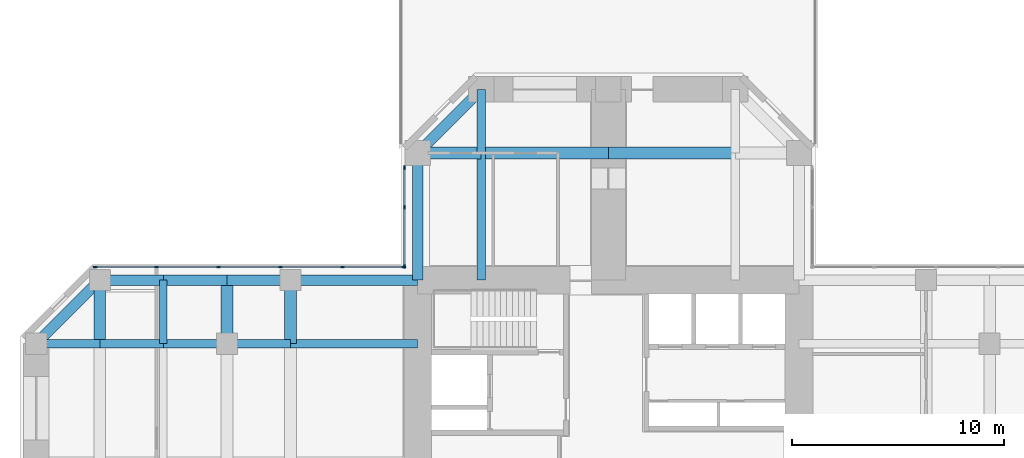
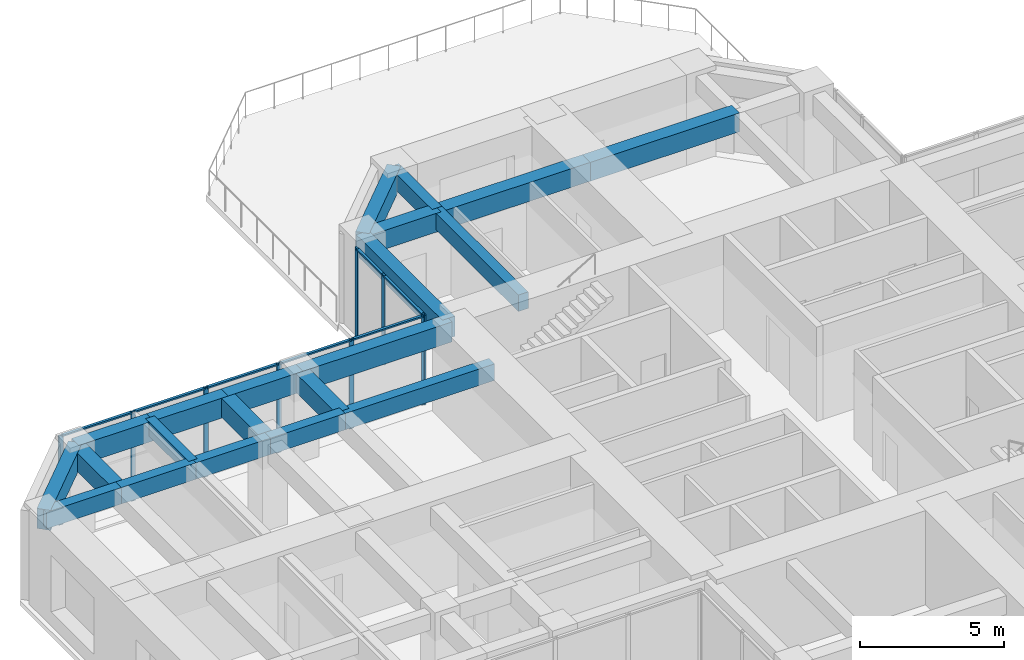
# One storey, part 5 of 12: 21 beams, 16 members, 2 elements without a shape of their own.
"""IFC4 building model written with IfcOpenShell, lengths in metres."""

from ifc_helpers import new_model, si_unit, direction, frame, origin, origin_2d, place, context, subcontext, project, spatial, rectangle, extrude, material, material_profile, profile_set, type_object, element, aggregate, save


model = new_model("IFC4")

# Units and contexts
model_context = context("Model", 3, precision=1e-05, world=origin(), true_north=direction((0.0, 1.0)))
body_context = subcontext(model_context, "Body", "Model", "MODEL_VIEW")
ifc_project = project(units=[si_unit("LENGTHUNIT", "METRE"), si_unit("AREAUNIT", "SQUARE_METRE"), si_unit("VOLUMEUNIT", "CUBIC_METRE"), si_unit("PLANEANGLEUNIT", "RADIAN"), si_unit("MASSUNIT", "GRAM", prefix="KILO")], contexts=[model_context])

# Site, building, storey
site_placement = place(None, origin())
site = spatial("IfcSite", under=ifc_project, at=site_placement, CompositionType="ELEMENT")
building_placement = place(site_placement, origin())
building = spatial("IfcBuilding", under=site, at=building_placement, Name="Torre Cruceta", CompositionType="ELEMENT")
storey_placement = place(building_placement, frame((0.0, 0.0, 100.5)))
storey = spatial("IfcBuildingStorey", under=building, at=storey_placement, Name="L24", CompositionType="ELEMENT", Elevation=100.5)

# Beams
ifc_material_1 = material(Name="Concrete G60 (fck 60 MPa)", Category="concrete")
ifc_material_profile_1 = material_profile(ifc_material_1, rectangle(XDim=0.39990234375, YDim=0.699951171875, at=origin_2d()), Name="RC 400X700")
ifc_profile_set_1 = profile_set([ifc_material_profile_1], Name="Concrete G60 (fck 60 MPa)")
beam_type_1 = type_object("IfcBeamType", Name="COLUMN LINE BEAM RC 400X700", PredefinedType="BEAM", material=ifc_profile_set_1)
beam_1_placement = place(storey_placement, frame((-6.0, 9.0, 3.449951171875), z_axis=(0.0, 1.0, 0.0), x_axis=(-1.0, 0.0, 0.0)))
element("IfcBeam", 1, at=beam_1_placement, inside=storey, type_object=beam_type_1, Name="LB5 L24 N col+ 1", PredefinedType="BEAM", context=body_context, shape_type="SweptSolid", body=[
    extrude(rectangle(XDim=0.39990234375, YDim=0.699951171875, at=origin_2d()), origin(), (0.0, 0.0, 1.0), 6.0),
])
beam_2_placement = place(storey_placement, frame((-6.0, 15.0, 3.449951171875), z_axis=(0.0, 1.0, 0.0), x_axis=(-1.0, 0.0, 0.0)))
element("IfcBeam", 2, at=beam_2_placement, inside=storey, type_object=beam_type_1, Name="LB5 L24 N col+ 2", PredefinedType="BEAM", context=body_context, shape_type="SweptSolid", body=[
    extrude(rectangle(XDim=0.39990234375, YDim=0.699951171875, at=origin_2d()), origin(), (0.0, 0.0, 1.0), 3.0),
])
beam_3_placement = place(storey_placement, frame((-9.0, 6.0, 3.449951171875), z_axis=(-1.0, 0.0, 0.0), x_axis=(0.0, -1.0, 0.0)))
element("IfcBeam", 3, at=beam_3_placement, inside=storey, type_object=beam_type_1, Name="LB5 L24 W col- 1", PredefinedType="BEAM", context=body_context, shape_type="SweptSolid", body=[
    extrude(rectangle(XDim=0.39990234375, YDim=0.699951171875, at=origin_2d()), origin(), (0.0, 0.0, 1.0), 6.0),
])
for number, where, z_axis, x_axis, name in (
    (4, (-15.0, 6.0, 3.449951171875), (-1.0, 0.0, 0.0), (0.0, -1.0, 0.0), "LB5 L24 W col- 2"),
    (5, (-18.0, 6.0, 3.449951171875), (-1.0, 0.0, 0.0), (0.0, -1.0, 0.0), "LB5 L24 W col- 3"),
    (6, (-21.0, 6.0, 3.449951171875), (-1.0, 0.0, 0.0), (0.0, -1.0, 0.0), "LB5 L24 W col- 4"),
    (7, (-24.0, 6.0, 3.449951171875), (-1.0, 0.0, 0.0), (0.0, -1.0, 0.0), "LB5 L24 W col- 5"),
):
    element("IfcBeam", number, at=place(storey_placement, frame(where, z_axis=z_axis, x_axis=x_axis)), inside=storey, type_object=beam_type_1, Name=name, PredefinedType="BEAM", context=body_context, shape_type="SweptSolid", body=[
        extrude(rectangle(XDim=0.39990234375, YDim=0.699951171875, at=origin_2d()), origin(), (0.0, 0.0, 1.0), 3.0),
    ])
ifc_material_2 = material(Name="Concrete G60 (fck 60 MPa)", Category="concrete")
ifc_material_profile_2 = material_profile(ifc_material_2, rectangle(XDim=0.550048828125, YDim=0.800048828125, at=origin_2d()), Name="RC 550X800")
ifc_profile_set_2 = profile_set([ifc_material_profile_2], Name="Concrete G60 (fck 60 MPa)")
beam_type_2 = type_object("IfcBeamType", Name="CROSS BEAM RC 550X800", PredefinedType="BEAM", material=ifc_profile_set_2)
for number, where, z_axis, x_axis, name in (
    (8, (6.0, 15.0, 3.39990234375), (-1.0, 0.0, 0.0), (0.0, -1.0, 0.0), "GB5 L24 N cross15 2"),
    (9, (0.0, 15.0, 3.39990234375), (-1.0, 0.0, 0.0), (0.0, -1.0, 0.0), "GB5 L24 N cross15 3"),
):
    element("IfcBeam", number, at=place(storey_placement, frame(where, z_axis=z_axis, x_axis=x_axis)), inside=storey, type_object=beam_type_2, Name=name, PredefinedType="BEAM", context=body_context, shape_type="SweptSolid", body=[
        extrude(rectangle(XDim=0.550048828125, YDim=0.800048828125, at=origin_2d()), origin(), (0.0, 0.0, 1.0), 6.0),
    ])
for number, where, z_axis, x_axis, name in (
    (10, (-6.0, 15.0, 3.39990234375), (-1.0, 0.0, 0.0), (0.0, -1.0, 0.0), "GB5 L24 N cross15 4"),
    (11, (-15.0, 9.0, 3.39990234375), (0.0, -1.0, 0.0), (1.0, 0.0, 0.0), "GB5 L24 W cross15 1"),
    (12, (-18.0, 9.0, 3.39990234375), (0.0, -1.0, 0.0), (1.0, 0.0, 0.0), "GB5 L24 W cross18 1"),
    (13, (-24.0, 9.0, 3.39990234375), (0.0, -1.0, 0.0), (1.0, 0.0, 0.0), "GB5 L24 W cross24 1"),
):
    element("IfcBeam", number, at=place(storey_placement, frame(where, z_axis=z_axis, x_axis=x_axis)), inside=storey, type_object=beam_type_2, Name=name, PredefinedType="BEAM", context=body_context, shape_type="SweptSolid", body=[
        extrude(rectangle(XDim=0.550048828125, YDim=0.800048828125, at=origin_2d()), origin(), (0.0, 0.0, 1.0), 3.0),
    ])

# Curtain wall, members
ifc_material_3 = material(Name="Aluminium unitised curtain wall", Category="aluminium")
curtain_wall_type = type_object("IfcCurtainWallType", Name="CURTAIN WALL CW-B OFFICE MID RISE", PredefinedType="USERDEFINED", material=ifc_material_3)
curtain_wall_1_placement = place(storey_placement, origin())
curtain_wall_1 = element("IfcCurtainWall", 14, at=curtain_wall_1_placement, inside=storey, type_object=curtain_wall_type, Name="CW-B L24 N side 09", ObjectType="UNITISED", PredefinedType="USERDEFINED")
ifc_material_4 = material(Name="Aluminium mullion", Category="aluminium")
ifc_material_profile_3 = material_profile(ifc_material_4, rectangle(XDim=0.06494140625, YDim=0.179931640625, at=origin_2d()), Name="AL 65X180")
ifc_profile_set_3 = profile_set([ifc_material_profile_3], Name="Aluminium mullion")
member_type_1 = type_object("IfcMemberType", Name="CW-B MULLION 65X180", PredefinedType="MULLION", material=ifc_profile_set_3)
member_1_placement = place(storey_placement, frame((-9.6201171875, 14.30908203125, 0.0), z_axis=(0.0, 0.0, 1.0), x_axis=(1.0, 0.0, 0.0)))
member_1 = element("IfcMember", 15, at=member_1_placement, type_object=member_type_1, Name="CW-B mullion 1", PredefinedType="MULLION", context=body_context, shape_type="SweptSolid", body=[
    extrude(rectangle(XDim=0.06494140625, YDim=0.179931640625, at=origin_2d()), origin(), (0.0, 0.0, 1.0), 3.800048828125),
])
member_2_placement = place(storey_placement, frame((-9.6201171875, 12.4384765625, 0.0), z_axis=(0.0, 0.0, 1.0), x_axis=(1.0, 0.0, 0.0)))
member_2 = element("IfcMember", 16, at=member_2_placement, type_object=member_type_1, Name="CW-B mullion 2", PredefinedType="MULLION", context=body_context, shape_type="SweptSolid", body=[
    extrude(rectangle(XDim=0.06494140625, YDim=0.179931640625, at=origin_2d()), origin(), (0.0, 0.0, 1.0), 3.800048828125),
])
member_3_placement = place(storey_placement, frame((-9.6201171875, 9.652587890625, 0.0), z_axis=(0.0, 0.0, 1.0), x_axis=(1.0, 0.0, 0.0)))
member_3 = element("IfcMember", 17, at=member_3_placement, type_object=member_type_1, Name="CW-B mullion 3", PredefinedType="MULLION", context=body_context, shape_type="SweptSolid", body=[
    extrude(rectangle(XDim=0.06494140625, YDim=0.179931640625, at=origin_2d()), origin(), (0.0, 0.0, 1.0), 3.800048828125),
])

curtain_wall_2_placement = place(storey_placement, origin())
curtain_wall_2 = element("IfcCurtainWall", 18, at=curtain_wall_2_placement, inside=storey, type_object=curtain_wall_type, Name="CW-B L24 W side 10", ObjectType="UNITISED", PredefinedType="USERDEFINED")
member_4_placement = place(storey_placement, frame((-9.652587890625, 9.6201171875, 0.0), z_axis=(0.0, 0.0, 1.0), x_axis=(0.0, -1.0, 0.0)))
member_4 = element("IfcMember", 19, at=member_4_placement, type_object=member_type_1, Name="CW-B mullion 1", PredefinedType="MULLION", context=body_context, shape_type="SweptSolid", body=[
    extrude(rectangle(XDim=0.06494140625, YDim=0.179931640625, at=origin_2d()), origin(), (0.0, 0.0, 1.0), 3.800048828125),
])
member_5_placement = place(storey_placement, frame((-12.54736328125, 9.6201171875, 0.0), z_axis=(0.0, 0.0, 1.0), x_axis=(0.0, -1.0, 0.0)))
member_5 = element("IfcMember", 20, at=member_5_placement, type_object=member_type_1, Name="CW-B mullion 2", PredefinedType="MULLION", context=body_context, shape_type="SweptSolid", body=[
    extrude(rectangle(XDim=0.06494140625, YDim=0.179931640625, at=origin_2d()), origin(), (0.0, 0.0, 1.0), 3.800048828125),
])
member_6_placement = place(storey_placement, frame((-15.474609375, 9.6201171875, 0.0), z_axis=(0.0, 0.0, 1.0), x_axis=(0.0, -1.0, 0.0)))
member_6 = element("IfcMember", 21, at=member_6_placement, type_object=member_type_1, Name="CW-B mullion 3", PredefinedType="MULLION", context=body_context, shape_type="SweptSolid", body=[
    extrude(rectangle(XDim=0.06494140625, YDim=0.179931640625, at=origin_2d()), origin(), (0.0, 0.0, 1.0), 3.800048828125),
])
member_7_placement = place(storey_placement, frame((-18.402099609375, 9.6201171875, 0.0), z_axis=(0.0, 0.0, 1.0), x_axis=(0.0, -1.0, 0.0)))
member_7 = element("IfcMember", 22, at=member_7_placement, type_object=member_type_1, Name="CW-B mullion 4", PredefinedType="MULLION", context=body_context, shape_type="SweptSolid", body=[
    extrude(rectangle(XDim=0.06494140625, YDim=0.179931640625, at=origin_2d()), origin(), (0.0, 0.0, 1.0), 3.800048828125),
])
member_8_placement = place(storey_placement, frame((-21.329345703125, 9.6201171875, 0.0), z_axis=(0.0, 0.0, 1.0), x_axis=(0.0, -1.0, 0.0)))
member_8 = element("IfcMember", 23, at=member_8_placement, type_object=member_type_1, Name="CW-B mullion 5", PredefinedType="MULLION", context=body_context, shape_type="SweptSolid", body=[
    extrude(rectangle(XDim=0.06494140625, YDim=0.179931640625, at=origin_2d()), origin(), (0.0, 0.0, 1.0), 3.800048828125),
])
member_9_placement = place(storey_placement, frame((-24.224365234375, 9.6201171875, 0.0), z_axis=(0.0, 0.0, 1.0), x_axis=(0.0, -1.0, 0.0)))
member_9 = element("IfcMember", 24, at=member_9_placement, type_object=member_type_1, Name="CW-B mullion 6", PredefinedType="MULLION", context=body_context, shape_type="SweptSolid", body=[
    extrude(rectangle(XDim=0.06494140625, YDim=0.179931640625, at=origin_2d()), origin(), (0.0, 0.0, 1.0), 3.800048828125),
])

# Member
ifc_material_5 = material(Name="Aluminium transom", Category="aluminium")
ifc_material_profile_4 = material_profile(ifc_material_5, rectangle(XDim=0.110107421875, YDim=0.06494140625, at=origin_2d()), Name="AL 110X65")
ifc_profile_set_4 = profile_set([ifc_material_profile_4], Name="Aluminium transom")
member_type_2 = type_object("IfcMemberType", Name="CW-B TRANSOM 65X110", PredefinedType="USERDEFINED", material=ifc_profile_set_4)
member_10_placement = place(storey_placement, frame((-9.6201171875, 14.276611328125, 3.767578125), z_axis=(0.0, -1.0, 0.0), x_axis=(1.0, 0.0, 0.0)))
member_10 = element("IfcMember", 25, at=member_10_placement, type_object=member_type_2, Name="CW-B transom 1", ObjectType="TRANSOM", PredefinedType="USERDEFINED", context=body_context, shape_type="SweptSolid", body=[
    extrude(rectangle(XDim=0.110107421875, YDim=0.06494140625, at=origin_2d()), origin(), (0.0, 0.0, 1.0), 1.8056640625),
])

member_11_placement = place(storey_placement, frame((-9.6201171875, 12.406005859375, 3.767578125), z_axis=(0.0, -1.0, 0.0), x_axis=(1.0, 0.0, 0.0)))
member_11 = element("IfcMember", 26, at=member_11_placement, type_object=member_type_2, Name="CW-B transom 2", ObjectType="TRANSOM", PredefinedType="USERDEFINED", context=body_context, shape_type="SweptSolid", body=[
    extrude(rectangle(XDim=0.110107421875, YDim=0.06494140625, at=origin_2d()), origin(), (0.0, 0.0, 1.0), 2.720947265625),
])

aggregate(curtain_wall_1, [member_1, member_2, member_3, member_10, member_11])

member_12_placement = place(storey_placement, frame((-9.68505859375, 9.6201171875, 3.767578125), z_axis=(-1.0, 0.0, 0.0), x_axis=(0.0, -1.0, 0.0)))
member_12 = element("IfcMember", 27, at=member_12_placement, type_object=member_type_2, Name="CW-B transom 1", ObjectType="TRANSOM", PredefinedType="USERDEFINED", context=body_context, shape_type="SweptSolid", body=[
    extrude(rectangle(XDim=0.110107421875, YDim=0.06494140625, at=origin_2d()), origin(), (0.0, 0.0, 1.0), 2.829833984375),
])

member_13_placement = place(storey_placement, frame((-12.579833984375, 9.6201171875, 3.767578125), z_axis=(-1.0, 0.0, 0.0), x_axis=(0.0, -1.0, 0.0)))
member_13 = element("IfcMember", 28, at=member_13_placement, type_object=member_type_2, Name="CW-B transom 2", ObjectType="TRANSOM", PredefinedType="USERDEFINED", context=body_context, shape_type="SweptSolid", body=[
    extrude(rectangle(XDim=0.110107421875, YDim=0.06494140625, at=origin_2d()), origin(), (0.0, 0.0, 1.0), 2.8623046875),
])

member_14_placement = place(storey_placement, frame((-15.50732421875, 9.6201171875, 3.767578125), z_axis=(-1.0, 0.0, 0.0), x_axis=(0.0, -1.0, 0.0)))
member_14 = element("IfcMember", 29, at=member_14_placement, type_object=member_type_2, Name="CW-B transom 3", ObjectType="TRANSOM", PredefinedType="USERDEFINED", context=body_context, shape_type="SweptSolid", body=[
    extrude(rectangle(XDim=0.110107421875, YDim=0.06494140625, at=origin_2d()), origin(), (0.0, 0.0, 1.0), 2.8623046875),
])

member_15_placement = place(storey_placement, frame((-18.4345703125, 9.6201171875, 3.767578125), z_axis=(-1.0, 0.0, 0.0), x_axis=(0.0, -1.0, 0.0)))
member_15 = element("IfcMember", 30, at=member_15_placement, type_object=member_type_2, Name="CW-B transom 4", ObjectType="TRANSOM", PredefinedType="USERDEFINED", context=body_context, shape_type="SweptSolid", body=[
    extrude(rectangle(XDim=0.110107421875, YDim=0.06494140625, at=origin_2d()), origin(), (0.0, 0.0, 1.0), 2.8623046875),
])

member_16_placement = place(storey_placement, frame((-21.362060546875, 9.6201171875, 3.767578125), z_axis=(-1.0, 0.0, 0.0), x_axis=(0.0, -1.0, 0.0)))
member_16 = element("IfcMember", 31, at=member_16_placement, type_object=member_type_2, Name="CW-B transom 5", ObjectType="TRANSOM", PredefinedType="USERDEFINED", context=body_context, shape_type="SweptSolid", body=[
    extrude(rectangle(XDim=0.110107421875, YDim=0.06494140625, at=origin_2d()), origin(), (0.0, 0.0, 1.0), 2.829833984375),
])

aggregate(curtain_wall_2, [member_4, member_5, member_6, member_7, member_8, member_9, member_12, member_13, member_14, member_15, member_16])

# Beams
ifc_material_6 = material(Name="Concrete G60 (fck 60 MPa)", Category="concrete")
ifc_material_profile_5 = material_profile(ifc_material_6, rectangle(XDim=0.35009765625, YDim=0.60009765625, at=origin_2d()), Name="RC 350X600")
ifc_profile_set_5 = profile_set([ifc_material_profile_5], Name="Concrete G60 (fck 60 MPa)")
beam_type_3 = type_object("IfcBeamType", Name="SECONDARY BEAM RC 350X600", PredefinedType="JOIST", material=ifc_profile_set_5)
beam_4_placement = place(storey_placement, frame((-21.0, 9.0, 3.5), z_axis=(0.0, -1.0, 0.0), x_axis=(1.0, 0.0, 0.0)))
element("IfcBeam", 32, at=beam_4_placement, inside=storey, type_object=beam_type_3, Name="JB5 L24 W sec21 1", PredefinedType="JOIST", context=body_context, shape_type="SweptSolid", body=[
    extrude(rectangle(XDim=0.35009765625, YDim=0.60009765625, at=origin_2d()), origin(), (0.0, 0.0, 1.0), 3.0),
])
ifc_material_7 = material(Name="Concrete G60 (fck 60 MPa)", Category="concrete")
ifc_material_profile_6 = material_profile(ifc_material_7, rectangle(XDim=0.5, YDim=0.85009765625, at=origin_2d()), Name="RC 500X850")
ifc_profile_set_6 = profile_set([ifc_material_profile_6], Name="Concrete G60 (fck 60 MPa)")
beam_type_4 = type_object("IfcBeamType", Name="SPANDREL BEAM RC 500X850", PredefinedType="SPANDREL", material=ifc_profile_set_6)
beam_5_placement = place(storey_placement, frame((-9.0, 9.0, 3.375), z_axis=(0.0, 1.0, 0.0), x_axis=(-1.0, 0.0, 0.0)))
element("IfcBeam", 33, at=beam_5_placement, inside=storey, type_object=beam_type_4, Name="SB5 L24 N side+ 1", PredefinedType="SPANDREL", context=body_context, shape_type="SweptSolid", body=[
    extrude(rectangle(XDim=0.5, YDim=0.85009765625, at=origin_2d()), origin(), (0.0, 0.0, 1.0), 6.0),
])
beam_6_placement = place(storey_placement, frame((-9.0, 15.0, 3.375), z_axis=(0.707106781187, 0.707106781187, 0.0), x_axis=(-0.707106781187, 0.707106781187, 0.0)))
element("IfcBeam", 34, at=beam_6_placement, inside=storey, type_object=beam_type_4, Name="SB5 L24 N side+ 2", PredefinedType="SPANDREL", context=body_context, shape_type="SweptSolid", body=[
    extrude(rectangle(XDim=0.5, YDim=0.85009765625, at=origin_2d()), origin(), (0.0, 0.0, 1.0), 4.24267578125),
])
beam_7_placement = place(storey_placement, frame((-9.0, 9.0, 3.375), z_axis=(-1.0, 0.0, 0.0), x_axis=(0.0, -1.0, 0.0)))
element("IfcBeam", 35, at=beam_7_placement, inside=storey, type_object=beam_type_4, Name="SB5 L24 W side- 1", PredefinedType="SPANDREL", context=body_context, shape_type="SweptSolid", body=[
    extrude(rectangle(XDim=0.5, YDim=0.85009765625, at=origin_2d()), origin(), (0.0, 0.0, 1.0), 6.0),
])
for number, where, z_axis, x_axis, name in (
    (36, (-15.0, 9.0, 3.375), (-1.0, 0.0, 0.0), (0.0, -1.0, 0.0), "SB5 L24 W side- 2"),
    (37, (-18.0, 9.0, 3.375), (-1.0, 0.0, 0.0), (0.0, -1.0, 0.0), "SB5 L24 W side- 3"),
    (38, (-21.0, 9.0, 3.375), (-1.0, 0.0, 0.0), (0.0, -1.0, 0.0), "SB5 L24 W side- 4"),
):
    element("IfcBeam", number, at=place(storey_placement, frame(where, z_axis=z_axis, x_axis=x_axis)), inside=storey, type_object=beam_type_4, Name=name, PredefinedType="SPANDREL", context=body_context, shape_type="SweptSolid", body=[
        extrude(rectangle(XDim=0.5, YDim=0.85009765625, at=origin_2d()), origin(), (0.0, 0.0, 1.0), 3.0),
    ])
beam_8_placement = place(storey_placement, frame((-24.0, 9.0, 3.375), z_axis=(-0.707106781187, -0.707106781187, 0.0), x_axis=(0.707106781187, -0.707106781187, 0.0)))
element("IfcBeam", 39, at=beam_8_placement, inside=storey, type_object=beam_type_4, Name="SB5 L24 W side- 5", PredefinedType="SPANDREL", context=body_context, shape_type="SweptSolid", body=[
    extrude(rectangle(XDim=0.5, YDim=0.85009765625, at=origin_2d()), origin(), (0.0, 0.0, 1.0), 4.24267578125),
])

save(model, "model.ifc")
